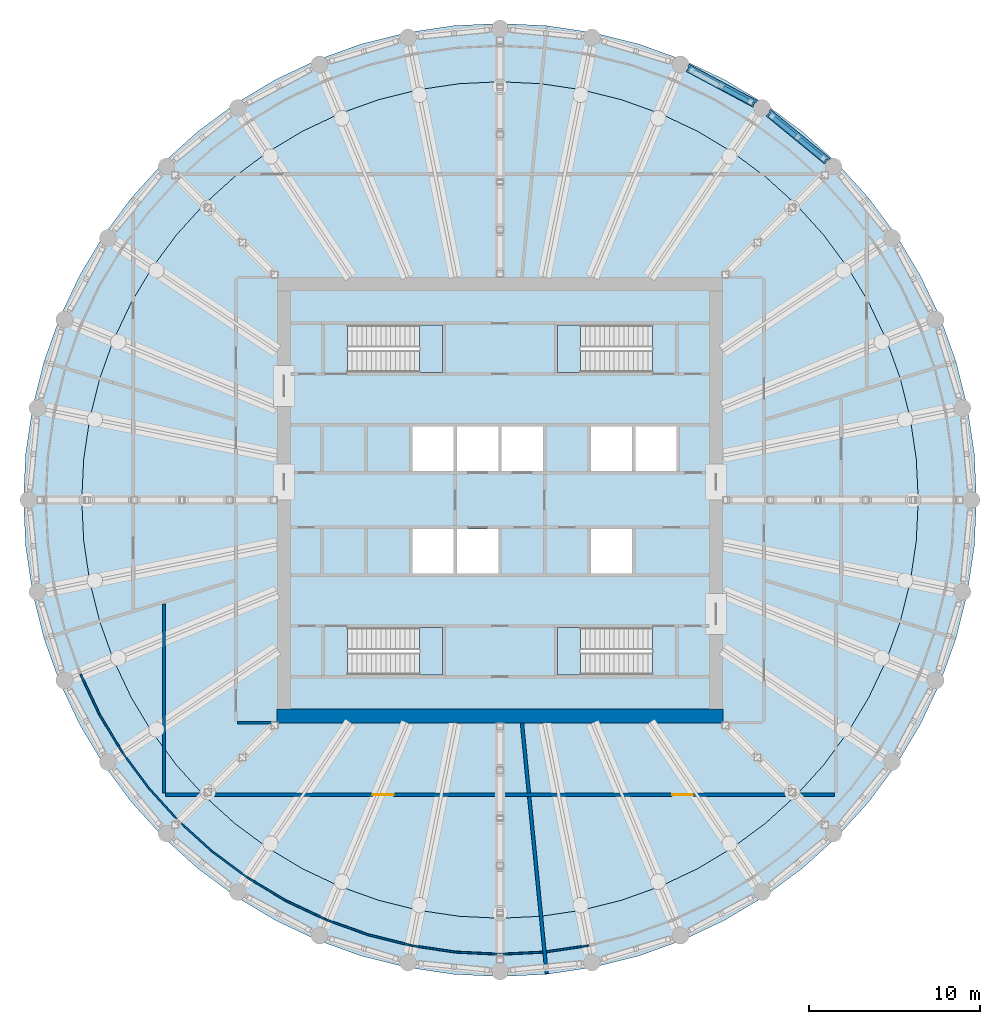
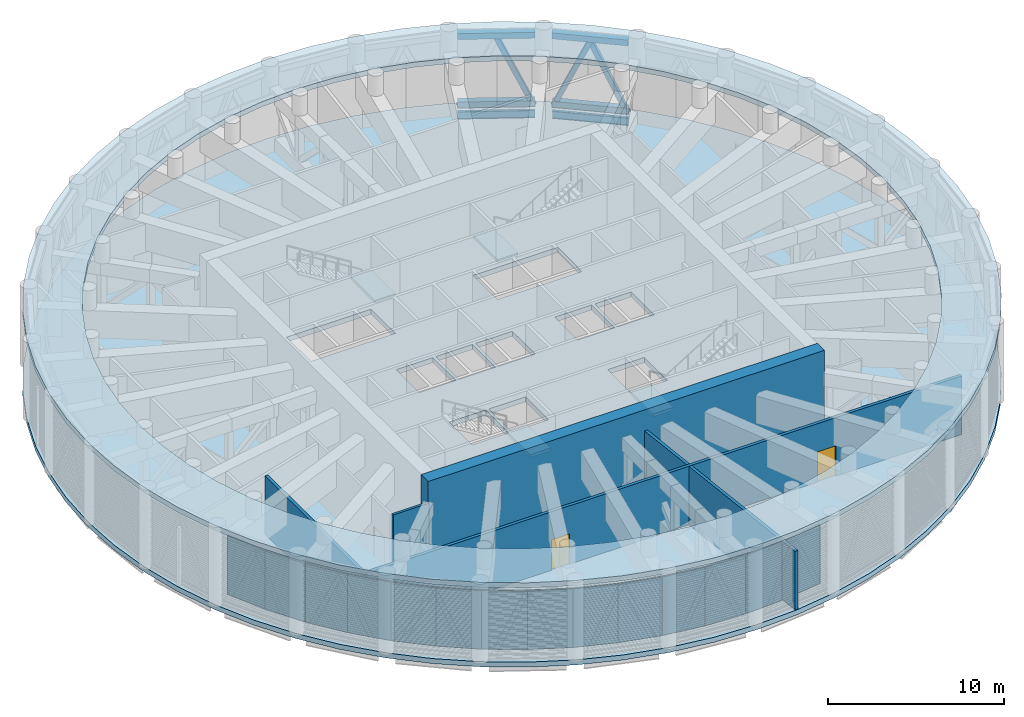
# One storey, part 8 of 24: 20 walls, 9 members, 6 slabs, 2 beams, 2 doors, 2 openings, 6 elements without a shape of their own.
"""IFC4 building model written with IfcOpenShell, lengths in metres."""

from ifc_helpers import new_model, si_unit, direction, frame, frame_2d, origin, origin_2d, place, context, subcontext, project, spatial, polyline, rectangle, hollow_rectangle, i_section, outline, extrude, material, layer, layer_set, material_profile, profile_set, type_object, element, fill, aggregate, save


model = new_model("IFC4")

# Units and contexts
model_context = context("Model", 3, precision=1e-05, world=origin(), true_north=direction((0.0, 1.0)))
body_context = subcontext(model_context, "Body", "Model", "MODEL_VIEW")
ifc_project = project(units=[si_unit("LENGTHUNIT", "METRE"), si_unit("AREAUNIT", "SQUARE_METRE"), si_unit("VOLUMEUNIT", "CUBIC_METRE"), si_unit("PLANEANGLEUNIT", "RADIAN"), si_unit("MASSUNIT", "GRAM", prefix="KILO")], contexts=[model_context])

# Site, building, storey
site_placement = place(None, origin())
site = spatial("IfcSite", under=ifc_project, at=site_placement, CompositionType="ELEMENT")
building_placement = place(site_placement, origin())
building = spatial("IfcBuilding", under=site, at=building_placement, Name="Corvane Civic Tower", CompositionType="ELEMENT")
storey_placement = place(building_placement, frame((0.0, 0.0, 257.5)))
storey = spatial("IfcBuildingStorey", under=building, at=storey_placement, Name="L61", CompositionType="ELEMENT", Elevation=257.5)

# Members
ifc_material_1 = material(Name="Steel ASTM A500 Gr C", Category="steel")
ifc_material_profile_1 = material_profile(ifc_material_1, hollow_rectangle(XDim=0.406494140625, YDim=0.406494140625, WallThickness=0.0146484375, at=origin_2d()), Name="HSS16X16X5/8")
ifc_profile_set_1 = profile_set([ifc_material_profile_1], Name="Steel ASTM A500 Gr C")
member_type_1 = type_object("IfcMemberType", Name="BELT CHORD HSS16X16X5/8", PredefinedType="CHORD", material=ifc_profile_set_1)
for number, where, z_axis, x_axis, name in (
    (1, (10.964599609375, 25.171142578125, 4.94677734375), (0.881907756852, -0.471422006704, 0.0), (0.471422006704, 0.881907756852, 0.0), "Belt truss BT-L61"),
    (2, (10.964599609375, 25.171142578125, 0.203125), (0.881907756852, -0.471422006704, 0.0), (0.471422006704, 0.881907756852, 0.0), "Belt truss BT-L61"),
    (3, (15.66455078125, 22.54833984375, 4.94677734375), (0.773030026524, -0.634369433447, 0.0), (0.634369433447, 0.773030026524, 0.0), "Belt truss BT-L61"),
    (4, (15.66455078125, 22.54833984375, 0.203125), (0.773030026524, -0.634369433447, 0.0), (0.634369433447, 0.773030026524, 0.0), "Belt truss BT-L61"),
):
    element("IfcMember", number, at=place(storey_placement, frame(where, z_axis=z_axis, x_axis=x_axis)), inside=storey, type_object=member_type_1, Name=name, PredefinedType="CHORD", context=body_context, shape_type="SweptSolid", body=[
        extrude(hollow_rectangle(XDim=0.406494140625, YDim=0.406494140625, WallThickness=0.0146484375, at=origin_2d()), origin(), (0.0, 0.0, 1.0), 4.39111328125),
    ])
ifc_material_2 = material(Name="Steel ASTM A500 Gr C", Category="steel")
ifc_material_profile_2 = material_profile(ifc_material_2, hollow_rectangle(XDim=0.3046875, YDim=0.3046875, WallThickness=0.01171875, at=origin_2d()), Name="HSS12X12X1/2")
ifc_profile_set_2 = profile_set([ifc_material_profile_2], Name="Steel ASTM A500 Gr C")
member_type_2 = type_object("IfcMemberType", Name="BELT DIAGONAL HSS12X12X1/2", PredefinedType="BRACE", material=ifc_profile_set_2)
member_1_placement = place(storey_placement, frame((14.61669921875, 23.218994140625, 0.406494140625), z_axis=(-0.360955038984, 0.192957894346, 0.912402713083), x_axis=(-0.47144121572, -0.881897488442, 0.0)))
element("IfcMember", 5, at=member_1_placement, inside=storey, type_object=member_type_2, Name="Belt truss BT-L61", PredefinedType="BRACE", context=body_context, shape_type="SweptSolid", body=[
    extrude(hollow_rectangle(XDim=0.3046875, YDim=0.3046875, WallThickness=0.01171875, at=origin_2d()), origin(), (0.0, 0.0, 1.0), 4.753662109375),
])
for number, where, z_axis, x_axis, name in (
    (6, (15.85791015625, 22.3896484375, 0.406494140625), (0.316378776839, -0.259625765734, 0.912413793919), (0.634364687153, 0.773033921437, 0.0), "Belt truss BT-L61"),
    (7, (18.86572265625, 19.92138671875, 0.406494140625), (-0.316378776839, 0.259625765734, 0.912413793919), (-0.634364687153, -0.773033921437, 0.0), "Belt truss BT-L61"),
):
    element("IfcMember", number, at=place(storey_placement, frame(where, z_axis=z_axis, x_axis=x_axis)), inside=storey, type_object=member_type_2, Name=name, PredefinedType="BRACE", context=body_context, shape_type="SweptSolid", body=[
        extrude(hollow_rectangle(XDim=0.3046875, YDim=0.3046875, WallThickness=0.01171875, at=origin_2d()), origin(), (0.0, 0.0, 1.0), 4.75341796875),
    ])

# Beams
ifc_material_3 = material(Name="Steel ASTM A992 Gr 50", Category="steel")
ifc_material_profile_3 = material_profile(ifc_material_3, i_section(OverallWidth=0.165771484375, OverallDepth=0.5283203125, WebThickness=0.009765625, FlangeThickness=0.013671875, at=origin_2d()), Name="W21X50")
ifc_profile_set_3 = profile_set([ifc_material_profile_3], Name="Steel ASTM A992 Gr 50")
beam_type = type_object("IfcBeamType", Name="EDGE BEAM W21X50", PredefinedType="BEAM", material=ifc_profile_set_3)
for number, where, z_axis, x_axis, name in (
    (8, (10.964599609375, 25.171142578125, -0.6142578125), (0.881907756852, -0.471422006704, 0.0), (0.471422006704, 0.881907756852, 0.0), "BM-L61-E03"),
    (9, (15.66455078125, 22.54833984375, -0.6142578125), (0.773030026524, -0.634369433447, 0.0), (0.634369433447, 0.773030026524, 0.0), "BM-L61-E04"),
):
    element("IfcBeam", number, at=place(storey_placement, frame(where, z_axis=z_axis, x_axis=x_axis)), inside=storey, type_object=beam_type, Name=name, PredefinedType="BEAM", context=body_context, shape_type="SweptSolid", body=[
        extrude(i_section(OverallWidth=0.165771484375, OverallDepth=0.5283203125, WebThickness=0.009765625, FlangeThickness=0.013671875, at=origin_2d()), origin(), (0.0, 0.0, 1.0), 4.39111328125),
    ])

# Curtain wall, member
ifc_material_4 = material(Name="Anodised aluminium bronze", Category="aluminium")
curtain_wall_type = type_object("IfcCurtainWallType", Name="TOWER CW-LV LOUVRE SCREEN WALL", PredefinedType="NOTDEFINED", material=ifc_material_4)
curtain_wall_1_placement = place(storey_placement, origin())
curtain_wall_1 = element("IfcCurtainWall", 10, at=curtain_wall_1_placement, inside=storey, type_object=curtain_wall_type, Name="Louvre screen wall CW-LV L61 bay 03", PredefinedType="NOTDEFINED")
ifc_material_5 = material(Name="Anodised aluminium bronze", Category="aluminium")
ifc_material_profile_4 = material_profile(ifc_material_5, rectangle(XDim=0.139892578125, YDim=0.1201171875, at=origin_2d()), Name="TOWER CW-LV TRANSOM 140x120")
ifc_profile_set_4 = profile_set([ifc_material_profile_4], Name="Anodised aluminium bronze")
member_type_3 = type_object("IfcMemberType", Name="TOWER CW-LV TRANSOM 140x120", PredefinedType="USERDEFINED", material=ifc_profile_set_4)
member_2_placement = place(storey_placement, frame((10.993408203125, 25.35888671875, 0.06005859375), z_axis=(0.881924695689, -0.471390317183, 0.0), x_axis=(0.471390317183, 0.881924695689, 0.0)))
member_2 = element("IfcMember", 11, at=member_2_placement, type_object=member_type_3, Name="Transom CW-LV L61 03.1", ObjectType="TRANSOM", PredefinedType="USERDEFINED", context=body_context, shape_type="SweptSolid", body=[
    extrude(rectangle(XDim=0.139892578125, YDim=0.1201171875, at=origin_2d()), origin(), (0.0, 0.0, 1.0), 4.517333984375),
])
aggregate(curtain_wall_1, [member_2])

curtain_wall_2_placement = place(storey_placement, origin())
curtain_wall_2 = element("IfcCurtainWall", 12, at=curtain_wall_2_placement, inside=storey, type_object=curtain_wall_type, Name="Louvre screen wall CW-LV L61 bay 04", PredefinedType="NOTDEFINED")
member_3_placement = place(storey_placement, frame((15.7294921875, 22.726806640625, 0.06005859375), z_axis=(0.773014925698, -0.634387834569, 0.0), x_axis=(0.634387834569, 0.773014925698, 0.0)))
member_3 = element("IfcMember", 13, at=member_3_placement, type_object=member_type_3, Name="Transom CW-LV L61 04.1", ObjectType="TRANSOM", PredefinedType="USERDEFINED", context=body_context, shape_type="SweptSolid", body=[
    extrude(rectangle(XDim=0.139892578125, YDim=0.1201171875, at=origin_2d()), origin(), (0.0, 0.0, 1.0), 4.517333984375),
])
aggregate(curtain_wall_2, [member_3])

# Slabs
ifc_material_6 = material(Name="Concrete C40/50", Category="concrete")
ifc_layer_1 = layer(ifc_material_6, 0.35009765625)
ifc_layer_set_1 = layer_set([ifc_layer_1], Name="Concrete C40/50")
slab_type_1 = type_object("IfcSlabType", Name="FLOOR SLAB 350", PredefinedType="FLOOR", material=ifc_layer_set_1)
slab_1_placement = place(storey_placement, frame((0.0, 0.0, -0.35009765625)))
element("IfcSlab", 14, at=slab_1_placement, inside=storey, type_object=slab_type_1, Name="SLB-L61", PredefinedType="FLOOR", context=body_context, shape_type="SweptSolid", body=[
    extrude(outline(polyline([(0.0, 27.800048828125), (-2.724853515625, 27.666015625), (-5.423583984375, 27.265869140625), (-8.06982421875, 26.60302734375), (-10.638671875, 25.683837890625), (-13.104736328125, 24.517333984375), (-15.44482421875, 23.11474609375), (-17.63623046875, 21.48974609375), (-19.657470703125, 19.657470703125), (-21.48974609375, 17.63623046875), (-23.11474609375, 15.44482421875), (-24.517333984375, 13.104736328125), (-25.683837890625, 10.638671875), (-26.60302734375, 8.06982421875), (-27.265869140625, 5.423583984375), (-27.666015625, 2.724853515625), (-27.800048828125, 0.0), (-27.666015625, -2.724853515625), (-27.265869140625, -5.423583984375), (-26.60302734375, -8.06982421875), (-25.683837890625, -10.638671875), (-24.517333984375, -13.104736328125), (-23.11474609375, -15.44482421875), (-21.48974609375, -17.63623046875), (-19.657470703125, -19.657470703125), (-17.63623046875, -21.48974609375), (-15.44482421875, -23.11474609375), (-13.104736328125, -24.517333984375), (-10.638671875, -25.683837890625), (-8.06982421875, -26.60302734375), (-5.423583984375, -27.265869140625), (-2.724853515625, -27.666015625), (0.0, -27.800048828125), (2.724853515625, -27.666015625), (5.423583984375, -27.265869140625), (8.06982421875, -26.60302734375), (10.638671875, -25.683837890625), (13.104736328125, -24.517333984375), (15.44482421875, -23.11474609375), (17.63623046875, -21.48974609375), (19.657470703125, -19.657470703125), (21.48974609375, -17.63623046875), (23.11474609375, -15.44482421875), (24.517333984375, -13.104736328125), (25.683837890625, -10.638671875), (26.60302734375, -8.06982421875), (27.265869140625, -5.423583984375), (27.666015625, -2.724853515625), (27.800048828125, 0.0), (27.666015625, 2.724853515625), (27.265869140625, 5.423583984375), (26.60302734375, 8.06982421875), (25.683837890625, 10.638671875), (24.517333984375, 13.104736328125), (23.11474609375, 15.44482421875), (21.48974609375, 17.63623046875), (19.657470703125, 19.657470703125), (17.63623046875, 21.48974609375), (15.44482421875, 23.11474609375), (13.104736328125, 24.517333984375), (10.638671875, 25.683837890625), (8.06982421875, 26.60302734375), (5.423583984375, 27.265869140625), (2.724853515625, 27.666015625), (0.0, 27.800048828125)]), holes=[polyline([(-2.699951171875, 1.699951171875), (-5.10009765625, 1.699951171875), (-5.10009765625, 4.300048828125), (-2.699951171875, 4.300048828125), (-2.699951171875, 1.699951171875)]), polyline([(-2.5, 4.300048828125), (-0.10009765625, 4.300048828125), (-0.10009765625, 1.699951171875), (-2.5, 1.699951171875), (-2.5, 4.300048828125)]), polyline([(2.5, 1.699951171875), (0.10009765625, 1.699951171875), (0.10009765625, 4.300048828125), (2.5, 4.300048828125), (2.5, 1.699951171875)]), polyline([(5.300048828125, 4.300048828125), (7.699951171875, 4.300048828125), (7.699951171875, 1.699951171875), (5.300048828125, 1.699951171875), (5.300048828125, 4.300048828125)]), polyline([(7.89990234375, 4.300048828125), (10.300048828125, 4.300048828125), (10.300048828125, 1.699951171875), (7.89990234375, 1.699951171875), (7.89990234375, 4.300048828125)]), polyline([(-5.10009765625, -1.699951171875), (-2.699951171875, -1.699951171875), (-2.699951171875, -4.300048828125), (-5.10009765625, -4.300048828125), (-5.10009765625, -1.699951171875)]), polyline([(-2.5, -1.699951171875), (-0.10009765625, -1.699951171875), (-0.10009765625, -4.300048828125), (-2.5, -4.300048828125), (-2.5, -1.699951171875)]), polyline([(5.300048828125, -4.300048828125), (5.300048828125, -1.699951171875), (7.699951171875, -1.699951171875), (7.699951171875, -4.300048828125), (5.300048828125, -4.300048828125)]), polyline([(8.889892578125, 10.199951171875), (8.889892578125, 7.449951171875), (3.35009765625, 7.449951171875), (3.35009765625, 10.199951171875), (8.889892578125, 10.199951171875)]), polyline([(-8.889892578125, 7.449951171875), (-8.889892578125, 10.199951171875), (-3.35009765625, 10.199951171875), (-3.35009765625, 7.449951171875), (-8.889892578125, 7.449951171875)]), polyline([(8.889892578125, -7.449951171875), (8.889892578125, -10.199951171875), (3.35009765625, -10.199951171875), (3.35009765625, -7.449951171875), (8.889892578125, -7.449951171875)]), polyline([(-8.889892578125, -10.199951171875), (-8.889892578125, -7.449951171875), (-3.35009765625, -7.449951171875), (-3.35009765625, -10.199951171875), (-8.889892578125, -10.199951171875)])]), origin(), (0.0, 0.0, 1.0), 0.35009765625),
])
ifc_material_7 = material(Name="Concrete C40/50", Category="concrete")
ifc_layer_2 = layer(ifc_material_7, 0.35009765625)
ifc_layer_set_2 = layer_set([ifc_layer_2], Name="Concrete C40/50")
slab_type_2 = type_object("IfcSlabType", Name="SETBACK ROOF SLAB 350", PredefinedType="ROOF", material=ifc_layer_set_2)
slab_2_placement = place(storey_placement, frame((0.0, 0.0, 5.14990234375)))
element("IfcSlab", 15, at=slab_2_placement, inside=storey, type_object=slab_type_2, Name="SLB-L61-roof", PredefinedType="ROOF", context=body_context, shape_type="SweptSolid", body=[
    extrude(outline(polyline([(0.0, 27.800048828125), (-2.724853515625, 27.666015625), (-5.423583984375, 27.265869140625), (-8.06982421875, 26.60302734375), (-10.638671875, 25.683837890625), (-13.104736328125, 24.517333984375), (-15.44482421875, 23.11474609375), (-17.63623046875, 21.48974609375), (-19.657470703125, 19.657470703125), (-21.48974609375, 17.63623046875), (-23.11474609375, 15.44482421875), (-24.517333984375, 13.104736328125), (-25.683837890625, 10.638671875), (-26.60302734375, 8.06982421875), (-27.265869140625, 5.423583984375), (-27.666015625, 2.724853515625), (-27.800048828125, 0.0), (-27.666015625, -2.724853515625), (-27.265869140625, -5.423583984375), (-26.60302734375, -8.06982421875), (-25.683837890625, -10.638671875), (-24.517333984375, -13.104736328125), (-23.11474609375, -15.44482421875), (-21.48974609375, -17.63623046875), (-19.657470703125, -19.657470703125), (-17.63623046875, -21.48974609375), (-15.44482421875, -23.11474609375), (-13.104736328125, -24.517333984375), (-10.638671875, -25.683837890625), (-8.06982421875, -26.60302734375), (-5.423583984375, -27.265869140625), (-2.724853515625, -27.666015625), (0.0, -27.800048828125), (2.724853515625, -27.666015625), (5.423583984375, -27.265869140625), (8.06982421875, -26.60302734375), (10.638671875, -25.683837890625), (13.104736328125, -24.517333984375), (15.44482421875, -23.11474609375), (17.63623046875, -21.48974609375), (19.657470703125, -19.657470703125), (21.48974609375, -17.63623046875), (23.11474609375, -15.44482421875), (24.517333984375, -13.104736328125), (25.683837890625, -10.638671875), (26.60302734375, -8.06982421875), (27.265869140625, -5.423583984375), (27.666015625, -2.724853515625), (27.800048828125, 0.0), (27.666015625, 2.724853515625), (27.265869140625, 5.423583984375), (26.60302734375, 8.06982421875), (25.683837890625, 10.638671875), (24.517333984375, 13.104736328125), (23.11474609375, 15.44482421875), (21.48974609375, 17.63623046875), (19.657470703125, 19.657470703125), (17.63623046875, 21.48974609375), (15.44482421875, 23.11474609375), (13.104736328125, 24.517333984375), (10.638671875, 25.683837890625), (8.06982421875, 26.60302734375), (5.423583984375, 27.265869140625), (2.724853515625, 27.666015625), (0.0, 27.800048828125)]), holes=[polyline([(0.0, 24.39990234375), (-2.3916015625, 24.282470703125), (-4.76025390625, 23.93115234375), (-7.0830078125, 23.349365234375), (-9.33740234375, 22.542724609375), (-11.502197265625, 21.518798828125), (-13.555908203125, 20.287841796875), (-15.479248046875, 18.861572265625), (-17.25341796875, 17.25341796875), (-18.861572265625, 15.479248046875), (-20.287841796875, 13.555908203125), (-21.518798828125, 11.502197265625), (-22.542724609375, 9.33740234375), (-23.349365234375, 7.0830078125), (-23.93115234375, 4.76025390625), (-24.282470703125, 2.3916015625), (-24.39990234375, 0.0), (-24.282470703125, -2.3916015625), (-23.93115234375, -4.76025390625), (-23.349365234375, -7.0830078125), (-22.542724609375, -9.33740234375), (-21.518798828125, -11.502197265625), (-20.287841796875, -13.555908203125), (-18.861572265625, -15.479248046875), (-17.25341796875, -17.25341796875), (-15.479248046875, -18.861572265625), (-13.555908203125, -20.287841796875), (-11.502197265625, -21.518798828125), (-9.33740234375, -22.542724609375), (-7.0830078125, -23.349365234375), (-4.76025390625, -23.93115234375), (-2.3916015625, -24.282470703125), (0.0, -24.39990234375), (2.3916015625, -24.282470703125), (4.76025390625, -23.93115234375), (7.0830078125, -23.349365234375), (9.33740234375, -22.542724609375), (11.502197265625, -21.518798828125), (13.555908203125, -20.287841796875), (15.479248046875, -18.861572265625), (17.25341796875, -17.25341796875), (18.861572265625, -15.479248046875), (20.287841796875, -13.555908203125), (21.518798828125, -11.502197265625), (22.542724609375, -9.33740234375), (23.349365234375, -7.0830078125), (23.93115234375, -4.76025390625), (24.282470703125, -2.3916015625), (24.39990234375, 0.0), (24.282470703125, 2.3916015625), (23.93115234375, 4.76025390625), (23.349365234375, 7.0830078125), (22.542724609375, 9.33740234375), (21.518798828125, 11.502197265625), (20.287841796875, 13.555908203125), (18.861572265625, 15.479248046875), (17.25341796875, 17.25341796875), (15.479248046875, 18.861572265625), (13.555908203125, 20.287841796875), (11.502197265625, 21.518798828125), (9.33740234375, 22.542724609375), (7.0830078125, 23.349365234375), (4.76025390625, 23.93115234375), (2.3916015625, 24.282470703125), (0.0, 24.39990234375)])]), origin(), (0.0, 0.0, 1.0), 0.35009765625),
])

# Stair, slab
ifc_material_8 = material(Name="Concrete C40/50", Category="concrete")
stair_type = type_object("IfcStairType", Name="ST-STAIR-HALFTURN", PredefinedType="HALF_TURN_STAIR", material=ifc_material_8)
stair_1_placement = place(storey_placement, origin())
stair_1 = element("IfcStair", 16, at=stair_1_placement, inside=storey, type_object=stair_type, Name="L61 Exit stair ST1", PredefinedType="HALF_TURN_STAIR")
ifc_material_9 = material(Name="Concrete C40/50", Category="concrete")
ifc_layer_3 = layer(ifc_material_9, 0.199951171875)
ifc_layer_set_3 = layer_set([ifc_layer_3], Name="Concrete C40/50")
slab_type_3 = type_object("IfcSlabType", Name="ST-LANDING-RC", PredefinedType="LANDING", material=ifc_layer_set_3)
slab_3_placement = place(storey_placement, frame((0.0, 0.0, 2.550048828125)))
slab_3 = element("IfcSlab", 17, at=slab_3_placement, type_object=slab_type_3, Name="ST1 landing 1", PredefinedType="LANDING", context=body_context, shape_type="SweptSolid", body=[
    extrude(outline(polyline([(4.699951171875, 10.199951171875), (3.35009765625, 10.199951171875), (3.35009765625, 7.449951171875), (4.699951171875, 7.449951171875), (4.699951171875, 10.199951171875)])), origin(), (0.0, 0.0, 1.0), 0.199951171875),
])
aggregate(stair_1, [slab_3])

stair_2_placement = place(storey_placement, origin())
stair_2 = element("IfcStair", 18, at=stair_2_placement, inside=storey, type_object=stair_type, Name="L61 Exit stair ST2", PredefinedType="HALF_TURN_STAIR")
slab_4_placement = place(storey_placement, frame((0.0, 0.0, 2.550048828125)))
slab_4 = element("IfcSlab", 19, at=slab_4_placement, type_object=slab_type_3, Name="ST2 landing 1", PredefinedType="LANDING", context=body_context, shape_type="SweptSolid", body=[
    extrude(outline(polyline([(4.699951171875, -7.449951171875), (3.35009765625, -7.449951171875), (3.35009765625, -10.199951171875), (4.699951171875, -10.199951171875), (4.699951171875, -7.449951171875)])), origin(), (0.0, 0.0, 1.0), 0.199951171875),
])
aggregate(stair_2, [slab_4])

stair_3_placement = place(storey_placement, origin())
stair_3 = element("IfcStair", 20, at=stair_3_placement, inside=storey, type_object=stair_type, Name="L61 Exit stair ST3", PredefinedType="HALF_TURN_STAIR")
slab_5_placement = place(storey_placement, frame((0.0, 0.0, 2.550048828125)))
slab_5 = element("IfcSlab", 21, at=slab_5_placement, type_object=slab_type_3, Name="ST3 landing 1", PredefinedType="LANDING", context=body_context, shape_type="SweptSolid", body=[
    extrude(outline(polyline([(-4.699951171875, -10.199951171875), (-3.35009765625, -10.199951171875), (-3.35009765625, -7.449951171875), (-4.699951171875, -7.449951171875), (-4.699951171875, -10.199951171875)])), origin(), (0.0, 0.0, 1.0), 0.199951171875),
])
aggregate(stair_3, [slab_5])

stair_4_placement = place(storey_placement, origin())
stair_4 = element("IfcStair", 22, at=stair_4_placement, inside=storey, type_object=stair_type, Name="L61 Exit stair ST4", PredefinedType="HALF_TURN_STAIR")
slab_6_placement = place(storey_placement, frame((0.0, 0.0, 2.550048828125)))
slab_6 = element("IfcSlab", 23, at=slab_6_placement, type_object=slab_type_3, Name="ST4 landing 1", PredefinedType="LANDING", context=body_context, shape_type="SweptSolid", body=[
    extrude(outline(polyline([(-4.699951171875, 7.449951171875), (-3.35009765625, 7.449951171875), (-3.35009765625, 10.199951171875), (-4.699951171875, 10.199951171875), (-4.699951171875, 7.449951171875)])), origin(), (0.0, 0.0, 1.0), 0.199951171875),
])
aggregate(stair_4, [slab_6])

# Walls
ifc_material_10 = material(Name="Concrete C50/60", Category="concrete")
ifc_layer_4 = layer(ifc_material_10, 0.800048828125)
ifc_layer_set_4 = layer_set([ifc_layer_4], Name="Concrete C50/60")
wall_type_1 = type_object("IfcWallType", Name="CORE WALL 800 C50/60", PredefinedType="SHEAR", material=ifc_layer_set_4)
wall_1_placement = place(storey_placement, frame((-13.0, -12.60009765625, 0.0), z_axis=(0.0, 0.0, 1.0), x_axis=(1.0, 0.0, 0.0)))
element("IfcWall", 24, at=wall_1_placement, inside=storey, type_object=wall_type_1, Name="W-L61-core-S", PredefinedType="SHEAR", context=body_context, shape_type="SweptSolid", body=[
    extrude(rectangle(XDim=26.0, YDim=0.800048828125, at=frame_2d((13.0, 0.0))), origin(), (0.0, 0.0, 1.0), 5.5),
])
ifc_material_11 = material(Name="Plasterboard")
ifc_layer_5 = layer(ifc_material_11, 0.10009765625)
ifc_layer_set_5 = layer_set([ifc_layer_5], Name="Plasterboard")
wall_type_2 = type_object("IfcWallType", Name="Partition 100 plasterboard on studs", PredefinedType="PARTITIONING", material=ifc_layer_set_5)
wall_2_placement = place(storey_placement, frame((-24.481689453125, -10.140625, 0.0), z_axis=(0.0, 0.0, 1.0), x_axis=(0.427618167427, -0.903959458652, 0.0)))
element("IfcWall", 25, at=wall_2_placement, inside=storey, type_object=wall_type_2, Name="Partition L61.033", PredefinedType="PARTITIONING", context=body_context, shape_type="SweptSolid", body=[
    extrude(rectangle(XDim=2.6005859375, YDim=0.10009765625, at=frame_2d((1.30029296875, 0.0))), origin(), (0.0, 0.0, 1.0), 4.050048828125),
])
for number, where, z_axis, x_axis, name in (
    (26, (-23.36962890625, -12.491455078125, 0.0), (0.0, 0.0, 1.0), (0.514040046977, -0.857766186151, 0.0), "Partition L61.035"),
    (27, (-22.032958984375, -14.721923828125, 0.0), (0.0, 0.0, 1.0), (0.595710181429, -0.80319946448, 0.0), "Partition L61.038"),
):
    element("IfcWall", number, at=place(storey_placement, frame(where, z_axis=z_axis, x_axis=x_axis)), inside=storey, type_object=wall_type_2, Name=name, PredefinedType="PARTITIONING", context=body_context, shape_type="SweptSolid", body=[
        extrude(rectangle(XDim=2.600341796875, YDim=0.10009765625, at=frame_2d((1.30029296875, 0.0))), origin(), (0.0, 0.0, 1.0), 4.050048828125),
    ])
for number, where, z_axis, x_axis, name in (
    (28, (-20.48388671875, -16.810546875, 0.0), (0.0, 0.0, 1.0), (0.671616067397, -0.740899357548, 0.0), "Partition L61.040"),
    (29, (-18.7373046875, -18.7373046875, 0.0), (0.0, 0.0, 1.0), (0.740899357548, -0.671616067397, 0.0), "Partition L61.043"),
):
    element("IfcWall", number, at=place(storey_placement, frame(where, z_axis=z_axis, x_axis=x_axis)), inside=storey, type_object=wall_type_2, Name=name, PredefinedType="PARTITIONING", context=body_context, shape_type="SweptSolid", body=[
        extrude(rectangle(XDim=2.6005859375, YDim=0.10009765625, at=frame_2d((1.30029296875, 0.0))), origin(), (0.0, 0.0, 1.0), 4.050048828125),
    ])
for number, where, z_axis, x_axis, name in (
    (30, (-16.810546875, -20.48388671875, 0.0), (0.0, 0.0, 1.0), (0.80319946448, -0.595710181429, 0.0), "Partition L61.044"),
    (31, (-14.721923828125, -22.032958984375, 0.0), (0.0, 0.0, 1.0), (0.857766186151, -0.514040046977, 0.0), "Partition L61.046"),
):
    element("IfcWall", number, at=place(storey_placement, frame(where, z_axis=z_axis, x_axis=x_axis)), inside=storey, type_object=wall_type_2, Name=name, PredefinedType="PARTITIONING", context=body_context, shape_type="SweptSolid", body=[
        extrude(rectangle(XDim=2.600341796875, YDim=0.10009765625, at=frame_2d((1.30029296875, 0.0))), origin(), (0.0, 0.0, 1.0), 4.050048828125),
    ])
for number, where, z_axis, x_axis, name in (
    (32, (-12.491455078125, -23.36962890625, 0.0), (0.0, 0.0, 1.0), (0.903959458652, -0.427618167427, 0.0), "Partition L61.048"),
    (33, (-10.140625, -24.481689453125, 0.0), (0.0, 0.0, 1.0), (0.941527196798, -0.336936993649, 0.0), "Partition L61.050"),
):
    element("IfcWall", number, at=place(storey_placement, frame(where, z_axis=z_axis, x_axis=x_axis)), inside=storey, type_object=wall_type_2, Name=name, PredefinedType="PARTITIONING", context=body_context, shape_type="SweptSolid", body=[
        extrude(rectangle(XDim=2.6005859375, YDim=0.10009765625, at=frame_2d((1.30029296875, 0.0))), origin(), (0.0, 0.0, 1.0), 4.050048828125),
    ])
for number, where, z_axis, x_axis, name in (
    (34, (-7.692138671875, -25.35791015625, 0.0), (0.0, 0.0, 1.0), (0.970031945218, -0.242977417172, 0.0), "Partition L61.052"),
    (35, (-5.169677734375, -25.98974609375, 0.0), (0.0, 0.0, 1.0), (0.989188334427, -0.146650738266, 0.0), "Partition L61.055"),
):
    element("IfcWall", number, at=place(storey_placement, frame(where, z_axis=z_axis, x_axis=x_axis)), inside=storey, type_object=wall_type_2, Name=name, PredefinedType="PARTITIONING", context=body_context, shape_type="SweptSolid", body=[
        extrude(rectangle(XDim=2.600341796875, YDim=0.10009765625, at=frame_2d((1.30029296875, 0.0))), origin(), (0.0, 0.0, 1.0), 4.050048828125),
    ])
wall_3_placement = place(storey_placement, frame((-2.597412109375, -26.37109375, 0.0), z_axis=(0.0, 0.0, 1.0), x_axis=(0.99879389393, -0.049099464849, 0.0)))
element("IfcWall", 36, at=wall_3_placement, inside=storey, type_object=wall_type_2, Name="Partition L61.056", PredefinedType="PARTITIONING", context=body_context, shape_type="SweptSolid", body=[
    extrude(rectangle(XDim=2.6005859375, YDim=0.10009765625, at=frame_2d((1.30029296875, 0.0))), origin(), (0.0, 0.0, 1.0), 4.050048828125),
])
for number, where, z_axis, x_axis, name in (
    (37, (0.0, -26.498779296875, 0.0), (0.0, 0.0, 1.0), (0.998792837062, 0.0491209592, 0.0), "Partition L61.058"),
    (38, (2.736083984375, -26.3505859375, 0.0), (0.0, 0.0, 1.0), (0.989185339215, 0.146670940144, 0.0), "Partition L61.061"),
):
    element("IfcWall", number, at=place(storey_placement, frame(where, z_axis=z_axis, x_axis=x_axis)), inside=storey, type_object=wall_type_2, Name=name, PredefinedType="PARTITIONING", context=body_context, shape_type="SweptSolid", body=[
        extrude(rectangle(XDim=2.460205078125, YDim=0.10009765625, at=frame_2d((1.22998046875, 0.0))), origin(), (0.0, 0.0, 1.0), 4.050048828125),
    ])
ifc_material_12 = material(Name="Gypsum fibreboard")
ifc_layer_6 = layer(ifc_material_12, 0.199951171875)
ifc_layer_set_6 = layer_set([ifc_layer_6], Name="Gypsum fibreboard")
wall_type_3 = type_object("IfcWallType", Name="Plant and refuge wall 200 EI 120", PredefinedType="PARTITIONING", material=ifc_layer_set_6)
wall_4_placement = place(storey_placement, frame((1.704833984375, -17.309814453125, 0.0), z_axis=(0.0, 0.0, 1.0), x_axis=(0.098019169568, -0.995184526808, 0.0)))
element("IfcWall", 39, at=wall_4_placement, inside=storey, type_object=wall_type_3, Name="Partition L61.001", PredefinedType="PARTITIONING", context=body_context, shape_type="SweptSolid", body=[
    extrude(rectangle(XDim=10.3564453125, YDim=0.199951171875, at=frame_2d((5.17822265625, 0.0))), origin(), (0.0, 0.0, 1.0), 4.050048828125),
])

# Wall, openings, doors
wall_5_placement = place(storey_placement, frame((-19.5, -17.199951171875, 0.0), z_axis=(0.0, 0.0, 1.0), x_axis=(1.0, 0.0, 0.0)))
wall_5 = element("IfcWall", 40, at=wall_5_placement, inside=storey, type_object=wall_type_3, Name="Partition L61.002", PredefinedType="PARTITIONING", context=body_context, shape_type="SweptSolid", body=[
    extrude(rectangle(XDim=39.0, YDim=0.199951171875, at=frame_2d((19.5, 0.0))), origin(), (0.0, 0.0, 1.0), 4.050048828125),
])
opening_1_placement = place(wall_5_placement, frame((29.547119140625, 0.0, 0.0)))
opening_1 = element("IfcOpeningElement", 41, at=opening_1_placement, cuts=wall_5, Name="Opening L61.007", PredefinedType="OPENING", context=body_context, shape_type="SweptSolid", body=[
    extrude(rectangle(XDim=1.199951171875, YDim=2.10009765625, at=frame_2d((0.60009765625, 1.050048828125))), frame((0.0, 0.10986328125, 0.0), z_axis=(0.0, -1.0, 0.0), x_axis=(1.0, 0.0, 0.0)), (0.0, 0.0, 1.0), 0.219970703125),
])
opening_2_placement = place(wall_5_placement, frame((12.09130859375, 0.0, 0.0)))
opening_2 = element("IfcOpeningElement", 42, at=opening_2_placement, cuts=wall_5, Name="Opening L61.008", PredefinedType="OPENING", context=body_context, shape_type="SweptSolid", body=[
    extrude(rectangle(XDim=1.199951171875, YDim=2.10009765625, at=frame_2d((0.60009765625, 1.050048828125))), frame((0.0, 0.10986328125, 0.0), z_axis=(0.0, -1.0, 0.0), x_axis=(1.0, 0.0, 0.0)), (0.0, 0.0, 1.0), 0.219970703125),
])
ifc_material_13 = material(Name="Steel and timber", Category="steel")
door_type = type_object("IfcDoorType", Name="Fire door FD60 1200", OperationType="NOTDEFINED", PredefinedType="DOOR", material=ifc_material_13)
door_1_placement = place(opening_1_placement, frame((1.199951171875, 0.0, 0.0), z_axis=(0.0, 0.0, 1.0), x_axis=(-1.0, 0.0, 0.0)))
door_1 = element("IfcDoor", 43, at=door_1_placement, inside=storey, type_object=door_type, Name="Door L61.007", OperationType="SINGLE_SWING_LEFT", OverallHeight=2.10009765625, OverallWidth=1.199951171875, PredefinedType="DOOR", context=body_context, shape_type="SweptSolid", body=[
    extrude(rectangle(XDim=1.199951171875, YDim=2.10009765625, at=frame_2d((0.60009765625, 1.050048828125))), frame((0.0, 0.02490234375, 0.0), z_axis=(0.0, -1.0, 0.0), x_axis=(1.0, 0.0, 0.0)), (0.0, 0.0, 1.0), 0.050048828125),
])
fill(opening_1, door_1)
door_2_placement = place(opening_2_placement, frame((1.199951171875, 0.0, 0.0), z_axis=(0.0, 0.0, 1.0), x_axis=(-1.0, 0.0, 0.0)))
door_2 = element("IfcDoor", 44, at=door_2_placement, inside=storey, type_object=door_type, Name="Door L61.008", OperationType="SINGLE_SWING_LEFT", OverallHeight=2.10009765625, OverallWidth=1.199951171875, PredefinedType="DOOR", context=body_context, shape_type="SweptSolid", body=[
    extrude(rectangle(XDim=1.199951171875, YDim=2.10009765625, at=frame_2d((0.60009765625, 1.050048828125))), frame((0.0, 0.02490234375, 0.0), z_axis=(0.0, -1.0, 0.0), x_axis=(1.0, 0.0, 0.0)), (0.0, 0.0, 1.0), 0.050048828125),
])
fill(opening_2, door_2)

# Walls
wall_6_placement = place(storey_placement, frame((-19.60009765625, -17.10009765625, 0.0), z_axis=(0.0, 0.0, 1.0), x_axis=(0.0, 1.0, 0.0)))
element("IfcWall", 45, at=wall_6_placement, inside=storey, type_object=wall_type_3, Name="Partition L61.003", PredefinedType="PARTITIONING", context=body_context, shape_type="SweptSolid", body=[
    extrude(rectangle(XDim=11.019775390625, YDim=0.199951171875, at=frame_2d((5.509765625, 0.0))), origin(), (0.0, 0.0, 1.0), 4.050048828125),
])
wall_7_placement = place(storey_placement, frame((1.280517578125, -13.0, 0.0), z_axis=(0.0, 0.0, 1.0), x_axis=(0.097954657763, -0.995190878687, 0.0)))
element("IfcWall", 46, at=wall_7_placement, inside=storey, type_object=wall_type_3, Name="Partition L61.004", PredefinedType="PARTITIONING", context=body_context, shape_type="SweptSolid", body=[
    extrude(rectangle(XDim=4.119873046875, YDim=0.199951171875, at=frame_2d((2.06005859375, 0.0))), origin(), (0.0, 0.0, 1.0), 4.050048828125),
])
ifc_material_14 = material(Name="Plasterboard")
ifc_layer_7 = layer(ifc_material_14, 0.14990234375)
ifc_layer_set_7 = layer_set([ifc_layer_7], Name="Plasterboard")
wall_type_4 = type_object("IfcWallType", Name="Tenancy wall 150 EI 60", PredefinedType="PARTITIONING", material=ifc_layer_set_7)
wall_8_placement = place(storey_placement, frame((-15.324951171875, -13.0, 0.0), z_axis=(0.0, 0.0, 1.0), x_axis=(1.0, 0.0, 0.0)))
element("IfcWall", 47, at=wall_8_placement, inside=storey, type_object=wall_type_4, Name="Partition L61.006", PredefinedType="PARTITIONING", context=body_context, shape_type="SweptSolid", body=[
    extrude(rectangle(XDim=2.3349609375, YDim=0.14990234375, at=frame_2d((1.16748046875, 0.0))), origin(), (0.0, 0.0, 1.0), 4.050048828125),
])

save(model, "model.ifc")
